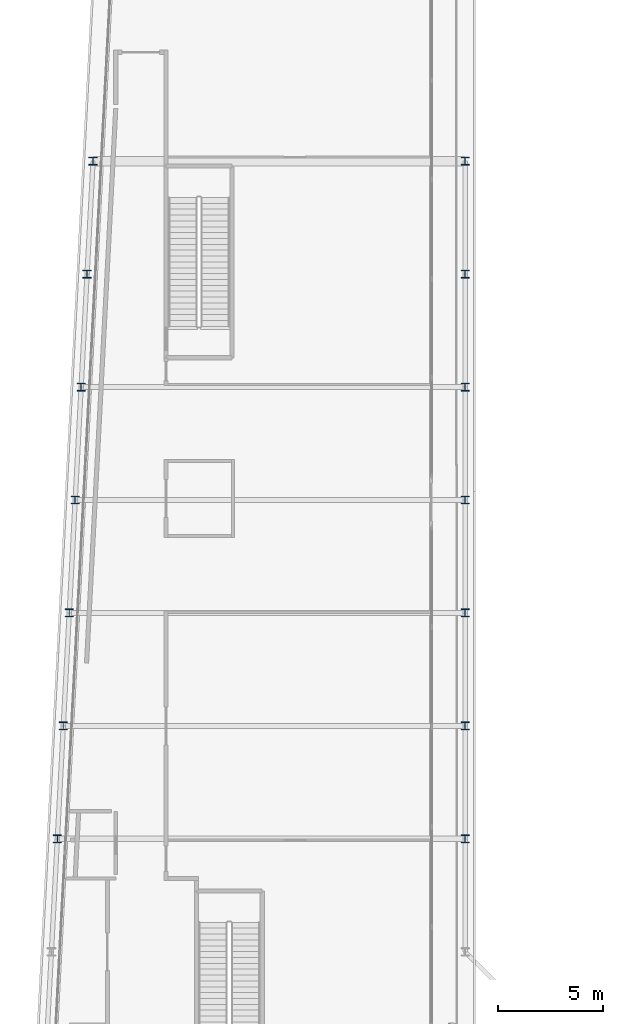
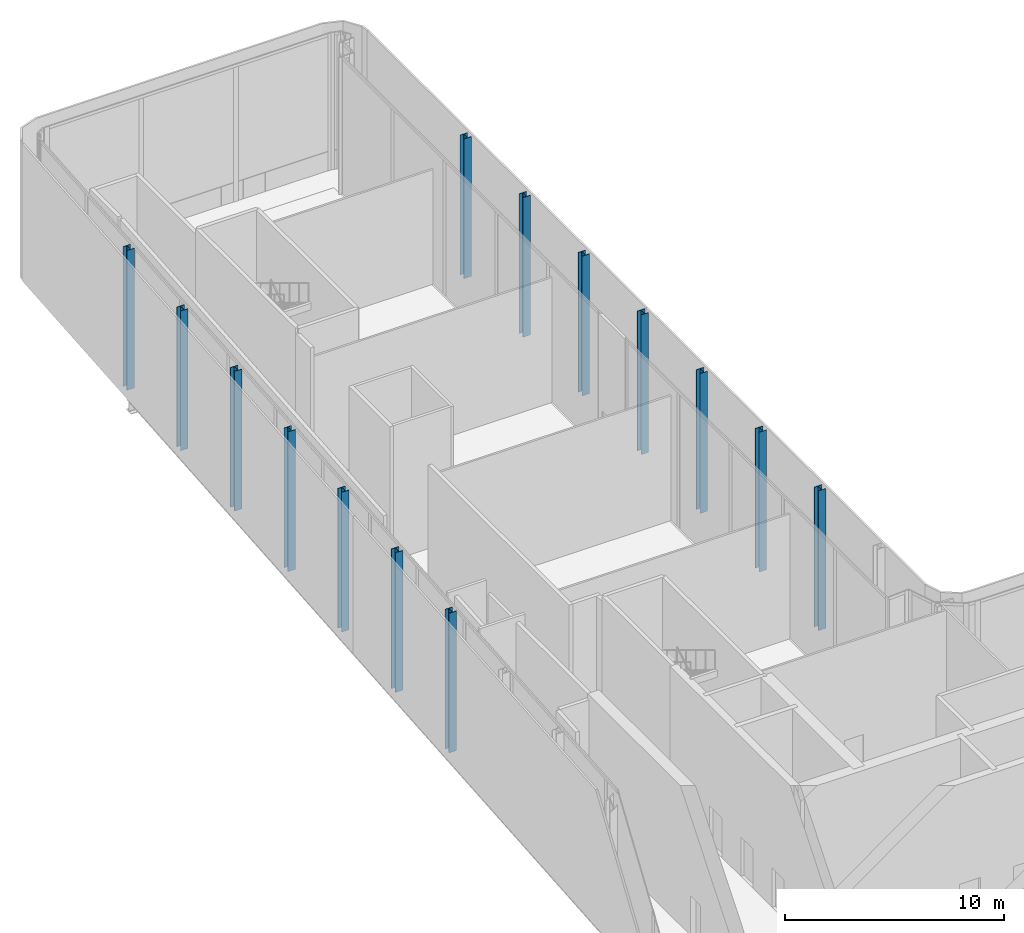
# One storey, part 4 of 27: 14 columns.
"""IFC4 building model written with IfcOpenShell, lengths in metres."""

from ifc_helpers import new_model, si_unit, direction, frame, origin, origin_2d, place, context, subcontext, project, spatial, i_section, extrude, material, material_profile, profile_set, type_object, element, save


model = new_model("IFC4")

# Units and contexts
model_context = context("Model", 3, precision=1e-05, world=origin(), true_north=direction((0.0, 1.0)))
body_context = subcontext(model_context, "Body", "Model", "MODEL_VIEW")
ifc_project = project(units=[si_unit("LENGTHUNIT", "METRE"), si_unit("AREAUNIT", "SQUARE_METRE"), si_unit("VOLUMEUNIT", "CUBIC_METRE"), si_unit("PLANEANGLEUNIT", "RADIAN"), si_unit("MASSUNIT", "GRAM", prefix="KILO")], contexts=[model_context])

# Site, building, storey
site_placement = place(None, origin())
site = spatial("IfcSite", under=ifc_project, at=site_placement, CompositionType="ELEMENT")
building_placement = place(site_placement, origin())
building = spatial("IfcBuilding", under=site, at=building_placement, Name="Kheshtan School and Residences Tower", CompositionType="ELEMENT")
storey_placement = place(building_placement, frame((0.0, 0.0, 266.89990234375)))
storey = spatial("IfcBuildingStorey", under=building, at=storey_placement, Name="L63", CompositionType="ELEMENT", Elevation=266.89990234375)

# Columns
ifc_material = material(Name="Steel ASTM A992 Grade 50", Category="steel")
ifc_material_profile = material_profile(ifc_material, i_section(OverallWidth=0.39501953125, OverallDepth=0.3798828125, WebThickness=0.018798828125, FlangeThickness=0.0302734375, FilletRadius=0.011474609375, at=origin_2d()), Name="W360x237")
ifc_profile_set = profile_set([ifc_material_profile], Name="Steel ASTM A992 Grade 50")
column_type = type_object("IfcColumnType", Name="Column C5 W360x237 ASTM A992 Grade 50", PredefinedType="COLUMN", material=ifc_profile_set)
for number, where, z_axis, x_axis, name in (
    (1, (28.10595703125, 56.39990234375, 0.0), (0.0, 0.0, 1.0), (1.0, 0.0, 0.0), "Column C080"),
    (2, (47.60009765625, 56.39990234375, 0.0), (0.0, 0.0, 1.0), (1.0, 0.0, 0.0), "Column C081"),
    (3, (28.389892578125, 61.800048828125, 0.0), (0.0, 0.0, 1.0), (1.0, 0.0, 0.0), "Column C082"),
    (4, (47.60009765625, 61.800048828125, 0.0), (0.0, 0.0, 1.0), (1.0, 0.0, 0.0), "Column C083"),
    (5, (28.674072265625, 67.199951171875, 0.0), (0.0, 0.0, 1.0), (1.0, 0.0, 0.0), "Column C084"),
    (6, (47.60009765625, 67.199951171875, 0.0), (0.0, 0.0, 1.0), (1.0, 0.0, 0.0), "Column C085"),
    (7, (28.9580078125, 72.60009765625, 0.0), (0.0, 0.0, 1.0), (1.0, 0.0, 0.0), "Column C086"),
    (8, (47.60009765625, 72.60009765625, 0.0), (0.0, 0.0, 1.0), (1.0, 0.0, 0.0), "Column C087"),
    (9, (29.242919921875, 78.0, 0.0), (0.0, 0.0, 1.0), (1.0, 0.0, 0.0), "Column C088"),
    (10, (47.60009765625, 78.0, 0.0), (0.0, 0.0, 1.0), (1.0, 0.0, 0.0), "Column C089"),
    (11, (29.527099609375, 83.39990234375, 0.0), (0.0, 0.0, 1.0), (1.0, 0.0, 0.0), "Column C090"),
    (12, (47.60009765625, 83.39990234375, 0.0), (0.0, 0.0, 1.0), (1.0, 0.0, 0.0), "Column C091"),
    (13, (29.81103515625, 88.800048828125, 0.0), (0.0, 0.0, 1.0), (1.0, 0.0, 0.0), "Column C098"),
    (14, (47.60009765625, 88.800048828125, 0.0), (0.0, 0.0, 1.0), (1.0, 0.0, 0.0), "Column C099"),
):
    element("IfcColumn", number, at=place(storey_placement, frame(where, z_axis=z_axis, x_axis=x_axis)), inside=storey, type_object=column_type, Name=name, PredefinedType="COLUMN", context=body_context, shape_type="SweptSolid", body=[
        extrude(i_section(OverallWidth=0.39501953125, OverallDepth=0.3798828125, WebThickness=0.018798828125, FlangeThickness=0.0302734375, FilletRadius=0.011474609375, at=origin_2d()), origin(), (0.0, 0.0, 1.0), 7.800048828125),
    ])

save(model, "model.ifc")
